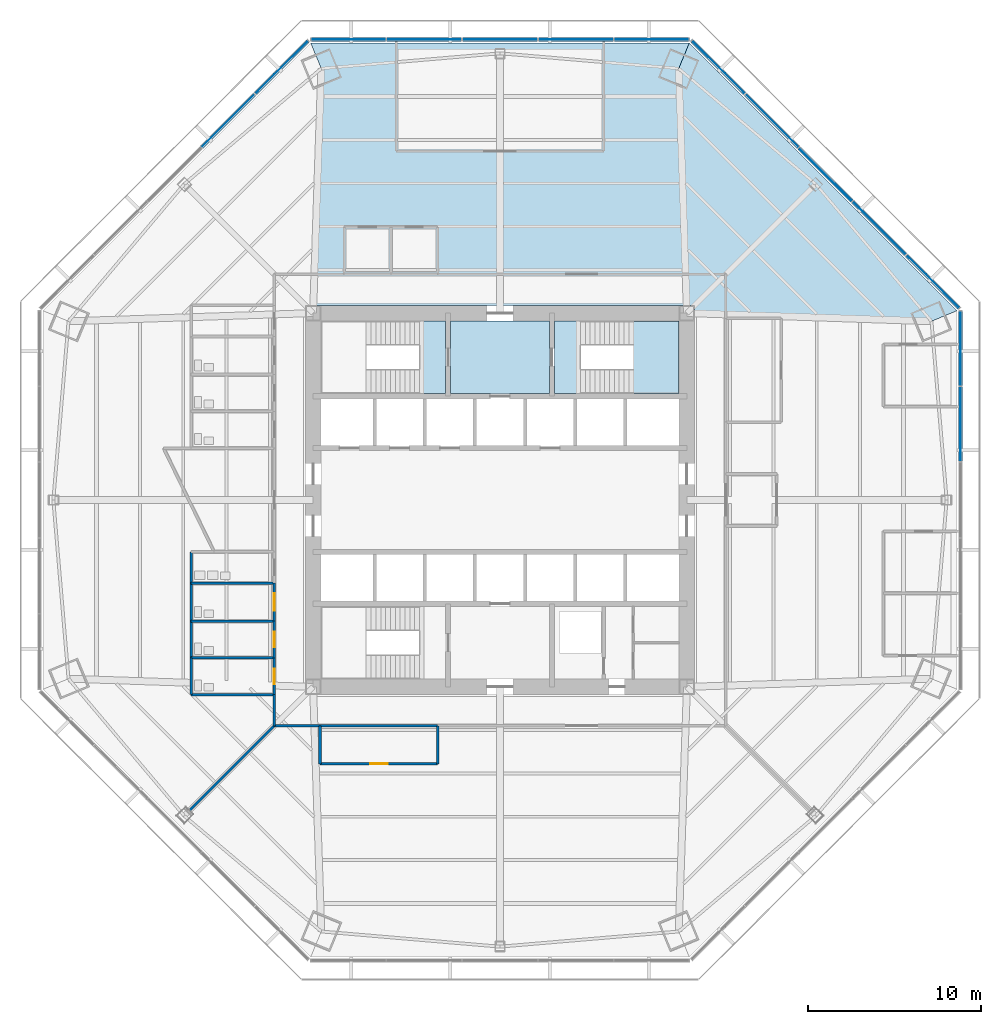
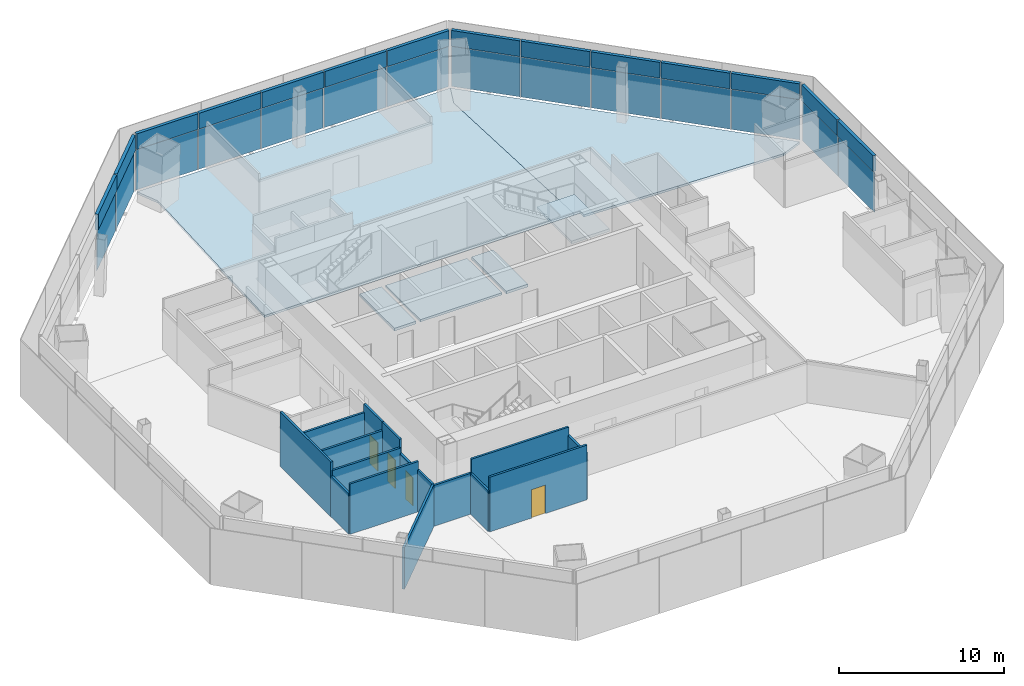
# One storey, part 7 of 13: 28 plates, 16 walls, 6 slabs, 4 doors, 4 openings, 6 elements without a shape of their own.
"""IFC4 building model written with IfcOpenShell, lengths in metres."""

from ifc_helpers import new_model, si_unit, direction, frame, frame_2d, origin, origin_2d, place, context, subcontext, project, spatial, polyline, rectangle, outline, extrude, source, transform, mapped, material, layer, layer_set, type_object, type_shapes, element, fill, aggregate, save


model = new_model("IFC4")

# Units and contexts
model_context = context("Model", 3, precision=1e-05, world=origin(), true_north=direction((0.0, 1.0)))
body_context = subcontext(model_context, "Body", "Model", "MODEL_VIEW")
ifc_project = project(units=[si_unit("LENGTHUNIT", "METRE"), si_unit("AREAUNIT", "SQUARE_METRE"), si_unit("VOLUMEUNIT", "CUBIC_METRE"), si_unit("PLANEANGLEUNIT", "RADIAN"), si_unit("MASSUNIT", "GRAM", prefix="KILO")], contexts=[model_context])

# Site, building, storey
site_placement = place(None, origin())
site = spatial("IfcSite", under=ifc_project, at=site_placement, CompositionType="ELEMENT")
building_placement = place(site_placement, origin())
building = spatial("IfcBuilding", under=site, at=building_placement, Name="Mashrafa Tower", CompositionType="ELEMENT")
storey_placement = place(building_placement, frame((0.0, 0.0, 49.800048828125)))
storey = spatial("IfcBuildingStorey", under=building, at=storey_placement, Name="L10", CompositionType="ELEMENT", Elevation=49.800048828125)

# Slabs
ifc_material_1 = material(Name="Concrete C35/45", Category="concrete")
ifc_layer_1 = layer(ifc_material_1, 0.1650390625)
ifc_layer_set_1 = layer_set([ifc_layer_1], Name="Floor slab 165")
slab_type_1 = type_object("IfcSlabType", Name="Floor slab 165", PredefinedType="FLOOR", material=ifc_layer_set_1)
slab_1_placement = place(storey_placement, frame((0.0, 0.0, -0.1650390625)))
element("IfcSlab", 1, at=slab_1_placement, inside=storey, type_object=slab_type_1, Name="Floor slab L10 north-east bay", PredefinedType="FLOOR", context=body_context, shape_type="SweptSolid", body=[
    extrude(outline(polyline([(10.937744140625, 26.406005859375), (26.406005859375, 10.937744140625), (26.406005859375, 10.937744140625), (24.932373046875, 10.327392578125), (11.25, 10.784912109375), (11.25, 11.25), (10.784912109375, 11.25), (10.327392578125, 24.932373046875), (10.937744140625, 26.406005859375), (10.937744140625, 26.406005859375)])), origin(), (0.0, 0.0, 1.0), 0.1650390625),
])
slab_2_placement = place(storey_placement, frame((0.0, 0.0, -0.1650390625)))
element("IfcSlab", 2, at=slab_2_placement, inside=storey, type_object=slab_type_1, Name="Floor slab L10 north bay", PredefinedType="FLOOR", context=body_context, shape_type="SweptSolid", body=[
    extrude(outline(polyline([(10.937744140625, 26.406005859375), (10.327392578125, 24.932373046875), (10.784912109375, 11.25), (-10.784912109375, 11.25), (-10.327392578125, 24.932373046875), (-10.937744140625, 26.406005859375), (10.937744140625, 26.406005859375)])), origin(), (0.0, 0.0, 1.0), 0.1650390625),
])
slab_3_placement = place(storey_placement, frame((0.0, 0.0, -0.1650390625)))
element("IfcSlab", 3, at=slab_3_placement, inside=storey, type_object=slab_type_1, Name="Core floor fire-fighting lobby north L10", PredefinedType="FLOOR", context=body_context, shape_type="SweptSolid", body=[
    extrude(outline(polyline([(-2.85009765625, 10.35009765625), (2.85009765625, 10.35009765625), (2.85009765625, 6.14990234375), (-2.85009765625, 6.14990234375), (-2.85009765625, 10.35009765625)])), origin(), (0.0, 0.0, 1.0), 0.1650390625),
])

# Stair, slab
ifc_material_2 = material(Name="Exit stair 1400")
stair_type = type_object("IfcStairType", Name="Exit stair 1400", PredefinedType="HALF_TURN_STAIR", material=ifc_material_2)
stair_1_placement = place(storey_placement, origin())
stair_1 = element("IfcStair", 4, at=stair_1_placement, inside=storey, type_object=stair_type, Name="Stair S1 L10", PredefinedType="HALF_TURN_STAIR")
ifc_material_3 = material(Name="Concrete C32/40", Category="concrete")
ifc_layer_2 = layer(ifc_material_3, 0.199951171875)
ifc_layer_set_2 = layer_set([ifc_layer_2], Name="Stair landing 200")
slab_type_2 = type_object("IfcSlabType", Name="Stair landing 200", PredefinedType="LANDING", material=ifc_layer_set_2)
slab_4_placement = place(storey_placement, frame((0.0, 0.0, -0.199951171875)))
slab_4 = element("IfcSlab", 5, at=slab_4_placement, type_object=slab_type_2, Name="S1 landing 1", PredefinedType="LANDING", context=body_context, shape_type="SweptSolid", body=[
    extrude(outline(polyline([(-4.659912109375, 6.14990234375), (-3.14990234375, 6.14990234375), (-3.14990234375, 10.35009765625), (-4.659912109375, 10.35009765625), (-4.659912109375, 6.14990234375)])), origin(), (0.0, 0.0, 1.0), 0.199951171875),
])
aggregate(stair_1, [slab_4])

# Stair, slabs
stair_2_placement = place(storey_placement, origin())
stair_2 = element("IfcStair", 6, at=stair_2_placement, inside=storey, type_object=stair_type, Name="Stair S2 L10", PredefinedType="HALF_TURN_STAIR")
slab_5_placement = place(storey_placement, frame((0.0, 0.0, -0.199951171875)))
slab_5 = element("IfcSlab", 7, at=slab_5_placement, type_object=slab_type_2, Name="S2 landing 1", PredefinedType="LANDING", context=body_context, shape_type="SweptSolid", body=[
    extrude(outline(polyline([(3.14990234375, 6.14990234375), (4.659912109375, 6.14990234375), (4.659912109375, 10.35009765625), (3.14990234375, 10.35009765625), (3.14990234375, 6.14990234375)])), origin(), (0.0, 0.0, 1.0), 0.199951171875),
])
slab_6_placement = place(storey_placement, frame((0.0, 0.0, 1.89990234375)))
slab_6 = element("IfcSlab", 8, at=slab_6_placement, type_object=slab_type_2, Name="S2 landing 2", PredefinedType="LANDING", context=body_context, shape_type="SweptSolid", body=[
    extrude(outline(polyline([(7.719970703125, 6.14990234375), (10.35009765625, 6.14990234375), (10.35009765625, 10.35009765625), (7.719970703125, 10.35009765625), (7.719970703125, 6.14990234375)])), origin(), (0.0, 0.0, 1.0), 0.199951171875),
])
aggregate(stair_2, [slab_5, slab_6])

# Curtain wall, plate
ifc_material_4 = material(Name="Unitised aluminium curtain wall", Category="aluminium")
curtain_wall_type = type_object("IfcCurtainWallType", Name="Office curtain wall, zone 1 CW-A 200 deep", PredefinedType="NOTDEFINED", material=ifc_material_4)
curtain_wall_1_placement = place(storey_placement, origin())
curtain_wall_1 = element("IfcCurtainWall", 9, at=curtain_wall_1_placement, inside=storey, type_object=curtain_wall_type, Name="Office curtain wall, zone 1 L10 east", PredefinedType="NOTDEFINED")
ifc_material_5 = material(Name="Insulated double glazing, low-e, neutral", Category="glass")
ifc_layer_3 = layer(ifc_material_5, 0.028076171875)
ifc_layer_set_3 = layer_set([ifc_layer_3], Name="Vision panel CW-A 28")
plate_type_1 = type_object("IfcPlateType", Name="Vision panel CW-A 28", PredefinedType="CURTAIN_PANEL", material=ifc_layer_set_3)
shared_shape_1 = source(origin(), body_context, "Body", "SweptSolid", [
    extrude(rectangle(XDim=4.2900390625, YDim=0.028076171875, at=origin_2d()), origin(), (0.0, 0.0, 1.0), 2.9599609375),
])
plate_1_placement = place(storey_placement, frame((26.60595703125, 8.759033203125, 0.0), z_axis=(0.0, 0.0, 1.0), x_axis=(0.0, 1.0, 0.0)))
plate_1 = element("IfcPlate", 10, at=plate_1_placement, type_object=plate_type_1, Name="CW-A vision panel 5", PredefinedType="CURTAIN_PANEL", context=body_context, shape_type="MappedRepresentation", body=[
    mapped(shared_shape_1, transform((0.0, 0.0, 0.0))),
])

# Curtain wall, plates
curtain_wall_2_placement = place(storey_placement, origin())
curtain_wall_2 = element("IfcCurtainWall", 11, at=curtain_wall_2_placement, inside=storey, type_object=curtain_wall_type, Name="Office curtain wall, zone 1 L10 north-east", PredefinedType="NOTDEFINED")
plate_2_placement = place(storey_placement, frame((25.0068359375, 12.61962890625, 0.0), z_axis=(0.0, 0.0, 1.0), x_axis=(-0.707106781187, 0.707106781187, 0.0)))
plate_2 = element("IfcPlate", 12, at=plate_2_placement, type_object=plate_type_1, Name="CW-A vision panel 1", PredefinedType="CURTAIN_PANEL", context=body_context, shape_type="MappedRepresentation", body=[
    mapped(shared_shape_1, transform((0.0, 0.0, 0.0))),
])
plate_3_placement = place(storey_placement, frame((12.61962890625, 25.0068359375, 0.0), z_axis=(0.0, 0.0, 1.0), x_axis=(-0.707106781187, 0.707106781187, 0.0)))
plate_3 = element("IfcPlate", 13, at=plate_3_placement, type_object=plate_type_1, Name="CW-A vision panel 5", PredefinedType="CURTAIN_PANEL", context=body_context, shape_type="MappedRepresentation", body=[
    mapped(shared_shape_1, transform((0.0, 0.0, 0.0))),
])

curtain_wall_3_placement = place(storey_placement, origin())
curtain_wall_3 = element("IfcCurtainWall", 14, at=curtain_wall_3_placement, inside=storey, type_object=curtain_wall_type, Name="Office curtain wall, zone 1 L10 north", PredefinedType="NOTDEFINED")
plate_4_placement = place(storey_placement, frame((8.759033203125, 26.60595703125, 0.0), z_axis=(0.0, 0.0, 1.0), x_axis=(-1.0, 0.0, 0.0)))
plate_4 = element("IfcPlate", 15, at=plate_4_placement, type_object=plate_type_1, Name="CW-A vision panel 1", PredefinedType="CURTAIN_PANEL", context=body_context, shape_type="MappedRepresentation", body=[
    mapped(shared_shape_1, transform((0.0, 0.0, 0.0))),
])
plate_5_placement = place(storey_placement, frame((-8.759033203125, 26.60595703125, 0.0), z_axis=(0.0, 0.0, 1.0), x_axis=(-1.0, 0.0, 0.0)))
plate_5 = element("IfcPlate", 16, at=plate_5_placement, type_object=plate_type_1, Name="CW-A vision panel 5", PredefinedType="CURTAIN_PANEL", context=body_context, shape_type="MappedRepresentation", body=[
    mapped(shared_shape_1, transform((0.0, 0.0, 0.0))),
])

# Curtain wall, plate
curtain_wall_4_placement = place(storey_placement, origin())
curtain_wall_4 = element("IfcCurtainWall", 17, at=curtain_wall_4_placement, inside=storey, type_object=curtain_wall_type, Name="Office curtain wall, zone 1 L10 north-west", PredefinedType="NOTDEFINED")
plate_6_placement = place(storey_placement, frame((-12.61962890625, 25.0068359375, 0.0), z_axis=(0.0, 0.0, 1.0), x_axis=(-0.707106781187, -0.707106781187, 0.0)))
plate_6 = element("IfcPlate", 18, at=plate_6_placement, type_object=plate_type_1, Name="CW-A vision panel 1", PredefinedType="CURTAIN_PANEL", context=body_context, shape_type="MappedRepresentation", body=[
    mapped(shared_shape_1, transform((0.0, 0.0, 0.0))),
])

# Plate
ifc_material_6 = material(Name="Insulated aluminium spandrel panel", Category="aluminium")
ifc_layer_4 = layer(ifc_material_6, 0.219970703125)
ifc_layer_set_4 = layer_set([ifc_layer_4], Name="Spandrel panel CW-A 220")
plate_type_2 = type_object("IfcPlateType", Name="Spandrel panel CW-A 220", PredefinedType="CURTAIN_PANEL", material=ifc_layer_set_4)
shared_shape_2 = source(origin(), body_context, "Body", "SweptSolid", [
    extrude(rectangle(XDim=4.2900390625, YDim=0.219970703125, at=origin_2d()), origin(), (0.0, 0.0, 1.0), 1.159912109375),
])
plate_7_placement = place(storey_placement, frame((26.60595703125, 8.759033203125, 3.0400390625), z_axis=(0.0, 0.0, 1.0), x_axis=(0.0, 1.0, 0.0)))
plate_7 = element("IfcPlate", 19, at=plate_7_placement, type_object=plate_type_2, Name="CW-A spandrel panel 5", PredefinedType="CURTAIN_PANEL", context=body_context, shape_type="MappedRepresentation", body=[
    mapped(shared_shape_2, transform((0.0, 0.0, 0.0))),
])

plate_8_placement = place(storey_placement, frame((25.0068359375, 12.61962890625, 3.0400390625), z_axis=(0.0, 0.0, 1.0), x_axis=(-0.707106781187, 0.707106781187, 0.0)))
plate_8 = element("IfcPlate", 20, at=plate_8_placement, type_object=plate_type_2, Name="CW-A spandrel panel 1", PredefinedType="CURTAIN_PANEL", context=body_context, shape_type="MappedRepresentation", body=[
    mapped(shared_shape_2, transform((0.0, 0.0, 0.0))),
])

plate_9_placement = place(storey_placement, frame((12.61962890625, 25.0068359375, 3.0400390625), z_axis=(0.0, 0.0, 1.0), x_axis=(-0.707106781187, 0.707106781187, 0.0)))
plate_9 = element("IfcPlate", 21, at=plate_9_placement, type_object=plate_type_2, Name="CW-A spandrel panel 5", PredefinedType="CURTAIN_PANEL", context=body_context, shape_type="MappedRepresentation", body=[
    mapped(shared_shape_2, transform((0.0, 0.0, 0.0))),
])

plate_10_placement = place(storey_placement, frame((8.759033203125, 26.60595703125, 3.0400390625), z_axis=(0.0, 0.0, 1.0), x_axis=(-1.0, 0.0, 0.0)))
plate_10 = element("IfcPlate", 22, at=plate_10_placement, type_object=plate_type_2, Name="CW-A spandrel panel 1", PredefinedType="CURTAIN_PANEL", context=body_context, shape_type="MappedRepresentation", body=[
    mapped(shared_shape_2, transform((0.0, 0.0, 0.0))),
])

plate_11_placement = place(storey_placement, frame((-8.759033203125, 26.60595703125, 3.0400390625), z_axis=(0.0, 0.0, 1.0), x_axis=(-1.0, 0.0, 0.0)))
plate_11 = element("IfcPlate", 23, at=plate_11_placement, type_object=plate_type_2, Name="CW-A spandrel panel 5", PredefinedType="CURTAIN_PANEL", context=body_context, shape_type="MappedRepresentation", body=[
    mapped(shared_shape_2, transform((0.0, 0.0, 0.0))),
])

plate_12_placement = place(storey_placement, frame((-12.61962890625, 25.0068359375, 3.0400390625), z_axis=(0.0, 0.0, 1.0), x_axis=(-0.707106781187, -0.707106781187, 0.0)))
plate_12 = element("IfcPlate", 24, at=plate_12_placement, type_object=plate_type_2, Name="CW-A spandrel panel 1", PredefinedType="CURTAIN_PANEL", context=body_context, shape_type="MappedRepresentation", body=[
    mapped(shared_shape_2, transform((0.0, 0.0, 0.0))),
])

shared_shape_3 = source(origin(), body_context, "Body", "SweptSolid", [
    extrude(rectangle(XDim=4.32275390625, YDim=0.028076171875, at=origin_2d()), origin(), (0.0, 0.0, 1.0), 2.9599609375),
])
type_shapes(plate_type_1, [shared_shape_1, shared_shape_3])
plate_13_placement = place(storey_placement, frame((26.60595703125, 4.3876953125, 0.0), z_axis=(0.0, 0.0, 1.0), x_axis=(0.0, 1.0, 0.0)))
plate_13 = element("IfcPlate", 25, at=plate_13_placement, type_object=plate_type_1, Name="CW-A vision panel 4", PredefinedType="CURTAIN_PANEL", context=body_context, shape_type="MappedRepresentation", body=[
    mapped(shared_shape_3, transform((0.0, 0.0, 0.0))),
])

plate_14_placement = place(storey_placement, frame((21.915771484375, 15.710693359375, 0.0), z_axis=(0.0, 0.0, 1.0), x_axis=(-0.707106781187, 0.707106781187, 0.0)))
plate_14 = element("IfcPlate", 26, at=plate_14_placement, type_object=plate_type_1, Name="CW-A vision panel 2", PredefinedType="CURTAIN_PANEL", context=body_context, shape_type="MappedRepresentation", body=[
    mapped(shared_shape_3, transform((0.0, 0.0, 0.0))),
])

plate_15_placement = place(storey_placement, frame((18.813232421875, 18.813232421875, 0.0), z_axis=(0.0, 0.0, 1.0), x_axis=(-0.707106781187, 0.707106781187, 0.0)))
plate_15 = element("IfcPlate", 27, at=plate_15_placement, type_object=plate_type_1, Name="CW-A vision panel 3", PredefinedType="CURTAIN_PANEL", context=body_context, shape_type="MappedRepresentation", body=[
    mapped(shared_shape_3, transform((0.0, 0.0, 0.0))),
])

plate_16_placement = place(storey_placement, frame((15.710693359375, 21.915771484375, 0.0), z_axis=(0.0, 0.0, 1.0), x_axis=(-0.707106781187, 0.707106781187, 0.0)))
plate_16 = element("IfcPlate", 28, at=plate_16_placement, type_object=plate_type_1, Name="CW-A vision panel 4", PredefinedType="CURTAIN_PANEL", context=body_context, shape_type="MappedRepresentation", body=[
    mapped(shared_shape_3, transform((0.0, 0.0, 0.0))),
])

plate_17_placement = place(storey_placement, frame((4.3876953125, 26.60595703125, 0.0), z_axis=(0.0, 0.0, 1.0), x_axis=(-1.0, 0.0, 0.0)))
plate_17 = element("IfcPlate", 29, at=plate_17_placement, type_object=plate_type_1, Name="CW-A vision panel 2", PredefinedType="CURTAIN_PANEL", context=body_context, shape_type="MappedRepresentation", body=[
    mapped(shared_shape_3, transform((0.0, 0.0, 0.0))),
])

plate_18_placement = place(storey_placement, frame((0.0, 26.60595703125, 0.0), z_axis=(0.0, 0.0, 1.0), x_axis=(-1.0, 0.0, 0.0)))
plate_18 = element("IfcPlate", 30, at=plate_18_placement, type_object=plate_type_1, Name="CW-A vision panel 3", PredefinedType="CURTAIN_PANEL", context=body_context, shape_type="MappedRepresentation", body=[
    mapped(shared_shape_3, transform((0.0, 0.0, 0.0))),
])

plate_19_placement = place(storey_placement, frame((-4.3876953125, 26.60595703125, 0.0), z_axis=(0.0, 0.0, 1.0), x_axis=(-1.0, 0.0, 0.0)))
plate_19 = element("IfcPlate", 31, at=plate_19_placement, type_object=plate_type_1, Name="CW-A vision panel 4", PredefinedType="CURTAIN_PANEL", context=body_context, shape_type="MappedRepresentation", body=[
    mapped(shared_shape_3, transform((0.0, 0.0, 0.0))),
])

plate_20_placement = place(storey_placement, frame((-15.710693359375, 21.915771484375, 0.0), z_axis=(0.0, 0.0, 1.0), x_axis=(-0.707106781187, -0.707106781187, 0.0)))
plate_20 = element("IfcPlate", 32, at=plate_20_placement, type_object=plate_type_1, Name="CW-A vision panel 2", PredefinedType="CURTAIN_PANEL", context=body_context, shape_type="MappedRepresentation", body=[
    mapped(shared_shape_3, transform((0.0, 0.0, 0.0))),
])

shared_shape_4 = source(origin(), body_context, "Body", "SweptSolid", [
    extrude(rectangle(XDim=4.32275390625, YDim=0.219970703125, at=origin_2d()), origin(), (0.0, 0.0, 1.0), 1.159912109375),
])
type_shapes(plate_type_2, [shared_shape_2, shared_shape_4])
plate_21_placement = place(storey_placement, frame((26.60595703125, 4.3876953125, 3.0400390625), z_axis=(0.0, 0.0, 1.0), x_axis=(0.0, 1.0, 0.0)))
plate_21 = element("IfcPlate", 33, at=plate_21_placement, type_object=plate_type_2, Name="CW-A spandrel panel 4", PredefinedType="CURTAIN_PANEL", context=body_context, shape_type="MappedRepresentation", body=[
    mapped(shared_shape_4, transform((0.0, 0.0, 0.0))),
])

aggregate(curtain_wall_1, [plate_13, plate_21, plate_1, plate_7])

plate_22_placement = place(storey_placement, frame((21.915771484375, 15.710693359375, 3.0400390625), z_axis=(0.0, 0.0, 1.0), x_axis=(-0.707106781187, 0.707106781187, 0.0)))
plate_22 = element("IfcPlate", 34, at=plate_22_placement, type_object=plate_type_2, Name="CW-A spandrel panel 2", PredefinedType="CURTAIN_PANEL", context=body_context, shape_type="MappedRepresentation", body=[
    mapped(shared_shape_4, transform((0.0, 0.0, 0.0))),
])

plate_23_placement = place(storey_placement, frame((18.813232421875, 18.813232421875, 3.0400390625), z_axis=(0.0, 0.0, 1.0), x_axis=(-0.707106781187, 0.707106781187, 0.0)))
plate_23 = element("IfcPlate", 35, at=plate_23_placement, type_object=plate_type_2, Name="CW-A spandrel panel 3", PredefinedType="CURTAIN_PANEL", context=body_context, shape_type="MappedRepresentation", body=[
    mapped(shared_shape_4, transform((0.0, 0.0, 0.0))),
])

plate_24_placement = place(storey_placement, frame((15.710693359375, 21.915771484375, 3.0400390625), z_axis=(0.0, 0.0, 1.0), x_axis=(-0.707106781187, 0.707106781187, 0.0)))
plate_24 = element("IfcPlate", 36, at=plate_24_placement, type_object=plate_type_2, Name="CW-A spandrel panel 4", PredefinedType="CURTAIN_PANEL", context=body_context, shape_type="MappedRepresentation", body=[
    mapped(shared_shape_4, transform((0.0, 0.0, 0.0))),
])

aggregate(curtain_wall_2, [plate_2, plate_8, plate_14, plate_22, plate_15, plate_23, plate_16, plate_24, plate_3, plate_9])

plate_25_placement = place(storey_placement, frame((4.3876953125, 26.60595703125, 3.0400390625), z_axis=(0.0, 0.0, 1.0), x_axis=(-1.0, 0.0, 0.0)))
plate_25 = element("IfcPlate", 37, at=plate_25_placement, type_object=plate_type_2, Name="CW-A spandrel panel 2", PredefinedType="CURTAIN_PANEL", context=body_context, shape_type="MappedRepresentation", body=[
    mapped(shared_shape_4, transform((0.0, 0.0, 0.0))),
])

plate_26_placement = place(storey_placement, frame((0.0, 26.60595703125, 3.0400390625), z_axis=(0.0, 0.0, 1.0), x_axis=(-1.0, 0.0, 0.0)))
plate_26 = element("IfcPlate", 38, at=plate_26_placement, type_object=plate_type_2, Name="CW-A spandrel panel 3", PredefinedType="CURTAIN_PANEL", context=body_context, shape_type="MappedRepresentation", body=[
    mapped(shared_shape_4, transform((0.0, 0.0, 0.0))),
])

plate_27_placement = place(storey_placement, frame((-4.3876953125, 26.60595703125, 3.0400390625), z_axis=(0.0, 0.0, 1.0), x_axis=(-1.0, 0.0, 0.0)))
plate_27 = element("IfcPlate", 39, at=plate_27_placement, type_object=plate_type_2, Name="CW-A spandrel panel 4", PredefinedType="CURTAIN_PANEL", context=body_context, shape_type="MappedRepresentation", body=[
    mapped(shared_shape_4, transform((0.0, 0.0, 0.0))),
])

aggregate(curtain_wall_3, [plate_4, plate_10, plate_17, plate_25, plate_18, plate_26, plate_19, plate_27, plate_5, plate_11])

plate_28_placement = place(storey_placement, frame((-15.710693359375, 21.915771484375, 3.0400390625), z_axis=(0.0, 0.0, 1.0), x_axis=(-0.707106781187, -0.707106781187, 0.0)))
plate_28 = element("IfcPlate", 40, at=plate_28_placement, type_object=plate_type_2, Name="CW-A spandrel panel 2", PredefinedType="CURTAIN_PANEL", context=body_context, shape_type="MappedRepresentation", body=[
    mapped(shared_shape_4, transform((0.0, 0.0, 0.0))),
])

aggregate(curtain_wall_4, [plate_6, plate_12, plate_20, plate_28])

# Wall, opening, door
ifc_material_7 = material(Name="Gypsum board on steel studs", Category="steel")
ifc_layer_5 = layer(ifc_material_7, 0.14990234375)
ifc_layer_set_5 = layer_set([ifc_layer_5], Name="Corridor partition 150 1 hr")
wall_type_1 = type_object("IfcWallType", Name="Corridor partition 150 1 hr", PredefinedType="PARTITIONING", material=ifc_layer_set_5)
wall_1_placement = place(storey_placement, frame((-13.050048828125, -9.1240234375, 0.0), z_axis=(0.0, 0.0, 1.0), x_axis=(0.0, -1.0, 0.0)))
wall_1 = element("IfcWall", 41, at=wall_1_placement, inside=storey, type_object=wall_type_1, Name="Corridor wall L10-005", PredefinedType="PARTITIONING", context=body_context, shape_type="SweptSolid", body=[
    extrude(rectangle(XDim=2.126953125, YDim=0.14990234375, at=frame_2d((1.0634765625, 0.0))), origin(), (0.0, 0.0, 1.0), 3.01416015625),
])
opening_1_placement = place(wall_1_placement, frame((0.613525390625, 0.0, 0.0)))
opening_1 = element("IfcOpeningElement", 42, at=opening_1_placement, cuts=wall_1, Name="Opening 10.005", PredefinedType="OPENING", context=body_context, shape_type="SweptSolid", body=[
    extrude(rectangle(XDim=0.89990234375, YDim=2.10009765625, at=frame_2d((0.449951171875, 1.050048828125))), frame((0.0, 0.0849609375, 0.0), z_axis=(0.0, -1.0, 0.0), x_axis=(1.0, 0.0, 0.0)), (0.0, 0.0, 1.0), 0.169921875),
])
ifc_material_8 = material(Name="Timber door", Category="wood")
door_type_1 = type_object("IfcDoorType", Name="Toilet door 900 x 2100", OperationType="USERDEFINED", PredefinedType="DOOR", material=ifc_material_8)
door_1_placement = place(opening_1_placement, frame((0.89990234375, 0.0, 0.0), z_axis=(0.0, 0.0, 1.0), x_axis=(-1.0, 0.0, 0.0)))
door_1 = element("IfcDoor", 43, at=door_1_placement, inside=storey, type_object=door_type_1, Name="WC Female L10 S door", OperationType="SINGLE_SWING_RIGHT", OverallHeight=2.10009765625, OverallWidth=0.89990234375, PredefinedType="DOOR", context=body_context, shape_type="SweptSolid", body=[
    extrude(rectangle(XDim=0.89990234375, YDim=2.10009765625, at=frame_2d((0.449951171875, 1.050048828125))), frame((0.0, 0.02490234375, 0.0), z_axis=(0.0, -1.0, 0.0), x_axis=(1.0, 0.0, 0.0)), (0.0, 0.0, 1.0), 0.050048828125),
])
fill(opening_1, door_1)

wall_2_placement = place(storey_placement, frame((-13.050048828125, -6.9990234375, 0.0), z_axis=(0.0, 0.0, 1.0), x_axis=(0.0, -1.0, 0.0)))
wall_2 = element("IfcWall", 44, at=wall_2_placement, inside=storey, type_object=wall_type_1, Name="Corridor wall L10-006", PredefinedType="PARTITIONING", context=body_context, shape_type="SweptSolid", body=[
    extrude(rectangle(XDim=2.126953125, YDim=0.14990234375, at=frame_2d((1.0634765625, 0.0))), origin(), (0.0, 0.0, 1.0), 4.034912109375),
])
opening_2_placement = place(wall_2_placement, frame((0.613525390625, 0.0, 0.0)))
opening_2 = element("IfcOpeningElement", 45, at=opening_2_placement, cuts=wall_2, Name="Opening 10.006", PredefinedType="OPENING", context=body_context, shape_type="SweptSolid", body=[
    extrude(rectangle(XDim=0.89990234375, YDim=2.10009765625, at=frame_2d((0.449951171875, 1.050048828125))), frame((0.0, 0.0849609375, 0.0), z_axis=(0.0, -1.0, 0.0), x_axis=(1.0, 0.0, 0.0)), (0.0, 0.0, 1.0), 0.169921875),
])
door_2_placement = place(opening_2_placement, frame((0.89990234375, 0.0, 0.0), z_axis=(0.0, 0.0, 1.0), x_axis=(-1.0, 0.0, 0.0)))
door_2 = element("IfcDoor", 46, at=door_2_placement, inside=storey, type_object=door_type_1, Name="WC Male L10 S door", OperationType="SINGLE_SWING_RIGHT", OverallHeight=2.10009765625, OverallWidth=0.89990234375, PredefinedType="DOOR", context=body_context, shape_type="SweptSolid", body=[
    extrude(rectangle(XDim=0.89990234375, YDim=2.10009765625, at=frame_2d((0.449951171875, 1.050048828125))), frame((0.0, 0.02490234375, 0.0), z_axis=(0.0, -1.0, 0.0), x_axis=(1.0, 0.0, 0.0)), (0.0, 0.0, 1.0), 0.050048828125),
])
fill(opening_2, door_2)

wall_3_placement = place(storey_placement, frame((-13.050048828125, -4.799072265625, 0.0), z_axis=(0.0, 0.0, 1.0), x_axis=(0.0, -1.0, 0.0)))
wall_3 = element("IfcWall", 47, at=wall_3_placement, inside=storey, type_object=wall_type_1, Name="Corridor wall L10-007", PredefinedType="PARTITIONING", context=body_context, shape_type="SweptSolid", body=[
    extrude(rectangle(XDim=2.201904296875, YDim=0.14990234375, at=frame_2d((1.10107421875, 0.0))), origin(), (0.0, 0.0, 1.0), 4.034912109375),
])
opening_3_placement = place(wall_3_placement, frame((0.60107421875, 0.0, 0.0)))
opening_3 = element("IfcOpeningElement", 48, at=opening_3_placement, cuts=wall_3, Name="Opening 10.007", PredefinedType="OPENING", context=body_context, shape_type="SweptSolid", body=[
    extrude(rectangle(XDim=1.0, YDim=2.10009765625, at=frame_2d((0.5, 1.050048828125))), frame((0.0, 0.0849609375, 0.0), z_axis=(0.0, -1.0, 0.0), x_axis=(1.0, 0.0, 0.0)), (0.0, 0.0, 1.0), 0.169921875),
])
ifc_material_9 = material(Name="Timber door", Category="wood")
door_type_2 = type_object("IfcDoorType", Name="Accessible toilet door 1000 x 2100", OperationType="USERDEFINED", PredefinedType="DOOR", material=ifc_material_9)
door_3_placement = place(opening_3_placement, frame((1.0, 0.0, 0.0), z_axis=(0.0, 0.0, 1.0), x_axis=(-1.0, 0.0, 0.0)))
door_3 = element("IfcDoor", 49, at=door_3_placement, inside=storey, type_object=door_type_2, Name="Accessible WC L10 S door", OperationType="SINGLE_SWING_LEFT", OverallHeight=2.10009765625, OverallWidth=1.0, PredefinedType="DOOR", context=body_context, shape_type="SweptSolid", body=[
    extrude(rectangle(XDim=1.0, YDim=2.10009765625, at=frame_2d((0.5, 1.050048828125))), frame((0.0, 0.02490234375, 0.0), z_axis=(0.0, -1.0, 0.0), x_axis=(1.0, 0.0, 0.0)), (0.0, 0.0, 1.0), 0.050048828125),
])
fill(opening_3, door_3)

# Walls
wall_4_placement = place(storey_placement, frame((-10.40087890625, -13.050048828125, 0.0), z_axis=(0.0, 0.0, 1.0), x_axis=(1.0, 0.0, 0.0)))
element("IfcWall", 50, at=wall_4_placement, inside=storey, type_object=wall_type_1, Name="Corridor wall L10-010", PredefinedType="PARTITIONING", context=body_context, shape_type="SweptSolid", body=[
    extrude(rectangle(XDim=6.8017578125, YDim=0.14990234375, at=frame_2d((3.40087890625, 0.0))), origin(), (0.0, 0.0, 1.0), 4.034912109375),
])
wall_5_placement = place(storey_placement, frame((-13.050048828125, -11.2490234375, 0.0), z_axis=(0.0, 0.0, 1.0), x_axis=(0.0, -1.0, 0.0)))
element("IfcWall", 51, at=wall_5_placement, inside=storey, type_object=wall_type_1, Name="Corridor wall L10-015", PredefinedType="PARTITIONING", context=body_context, shape_type="SweptSolid", body=[
    extrude(rectangle(XDim=1.801025390625, YDim=0.14990234375, at=frame_2d((0.900390625, 0.0))), origin(), (0.0, 0.0, 1.0), 3.097900390625),
])
wall_6_placement = place(storey_placement, frame((-13.050048828125, -13.050048828125, 0.0), z_axis=(0.0, 0.0, 1.0), x_axis=(1.0, 0.0, 0.0)))
element("IfcWall", 52, at=wall_6_placement, inside=storey, type_object=wall_type_1, Name="Corridor wall L10-022", PredefinedType="PARTITIONING", context=body_context, shape_type="SweptSolid", body=[
    extrude(rectangle(XDim=2.651123046875, YDim=0.14990234375, at=frame_2d((1.32568359375, 0.0))), origin(), (0.0, 0.0, 1.0), 3.01416015625),
])
ifc_material_10 = material(Name="Gypsum board on steel studs", Category="steel")
ifc_layer_6 = layer(ifc_material_10, 0.14990234375)
ifc_layer_set_6 = layer_set([ifc_layer_6], Name="Partition 150")
wall_type_2 = type_object("IfcWallType", Name="Partition 150", PredefinedType="PARTITIONING", material=ifc_layer_set_6)
wall_7_placement = place(storey_placement, frame((-13.050048828125, -9.125, 0.0), z_axis=(0.0, 0.0, 1.0), x_axis=(-1.0, 0.0, 0.0)))
element("IfcWall", 53, at=wall_7_placement, inside=storey, type_object=wall_type_2, Name="Partition wall L10-033", PredefinedType="PARTITIONING", context=body_context, shape_type="SweptSolid", body=[
    extrude(rectangle(XDim=4.800048828125, YDim=0.14990234375, at=frame_2d((2.39990234375, 0.0))), origin(), (0.0, 0.0, 1.0), 3.4228515625),
])
wall_8_placement = place(storey_placement, frame((-17.85009765625, -9.125, 0.0), z_axis=(0.0, 0.0, 1.0), x_axis=(0.0, -1.0, 0.0)))
element("IfcWall", 54, at=wall_8_placement, inside=storey, type_object=wall_type_2, Name="Partition wall L10-034", PredefinedType="PARTITIONING", context=body_context, shape_type="SweptSolid", body=[
    extrude(rectangle(XDim=2.125, YDim=0.14990234375, at=frame_2d((1.0625, 0.0))), origin(), (0.0, 0.0, 1.0), 3.01416015625),
])
wall_9_placement = place(storey_placement, frame((-17.85009765625, -11.25, 0.0), z_axis=(0.0, 0.0, 1.0), x_axis=(1.0, 0.0, 0.0)))
element("IfcWall", 55, at=wall_9_placement, inside=storey, type_object=wall_type_2, Name="Partition wall L10-035", PredefinedType="PARTITIONING", context=body_context, shape_type="SweptSolid", body=[
    extrude(rectangle(XDim=4.800048828125, YDim=0.14990234375, at=frame_2d((2.39990234375, 0.0))), origin(), (0.0, 0.0, 1.0), 3.715087890625),
])
wall_10_placement = place(storey_placement, frame((-13.050048828125, -7.0, 0.0), z_axis=(0.0, 0.0, 1.0), x_axis=(-1.0, 0.0, 0.0)))
element("IfcWall", 56, at=wall_10_placement, inside=storey, type_object=wall_type_2, Name="Partition wall L10-036", PredefinedType="PARTITIONING", context=body_context, shape_type="SweptSolid", body=[
    extrude(rectangle(XDim=4.800048828125, YDim=0.14990234375, at=frame_2d((2.39990234375, 0.0))), origin(), (0.0, 0.0, 1.0), 3.4228515625),
])
wall_11_placement = place(storey_placement, frame((-17.85009765625, -9.125, 0.0), z_axis=(0.0, 0.0, 1.0), x_axis=(0.0, 1.0, 0.0)))
element("IfcWall", 57, at=wall_11_placement, inside=storey, type_object=wall_type_2, Name="Partition wall L10-037", PredefinedType="PARTITIONING", context=body_context, shape_type="SweptSolid", body=[
    extrude(rectangle(XDim=6.125, YDim=0.14990234375, at=frame_2d((3.0625, 0.0))), origin(), (0.0, 0.0, 1.0), 4.034912109375),
])
wall_12_placement = place(storey_placement, frame((-13.050048828125, -4.800048828125, 0.0), z_axis=(0.0, 0.0, 1.0), x_axis=(-1.0, 0.0, 0.0)))
element("IfcWall", 58, at=wall_12_placement, inside=storey, type_object=wall_type_2, Name="Partition wall L10-038", PredefinedType="PARTITIONING", context=body_context, shape_type="SweptSolid", body=[
    extrude(rectangle(XDim=4.800048828125, YDim=0.14990234375, at=frame_2d((2.39990234375, 0.0))), origin(), (0.0, 0.0, 1.0), 3.4228515625),
])
wall_13_placement = place(storey_placement, frame((-10.39990234375, -13.050048828125, 0.0), z_axis=(0.0, 0.0, 1.0), x_axis=(0.0, -1.0, 0.0)))
element("IfcWall", 59, at=wall_13_placement, inside=storey, type_object=wall_type_2, Name="Partition wall L10-056", PredefinedType="PARTITIONING", context=body_context, shape_type="SweptSolid", body=[
    extrude(rectangle(XDim=2.199951171875, YDim=0.14990234375, at=frame_2d((1.10009765625, 0.0))), origin(), (0.0, 0.0, 1.0), 3.01416015625),
])

# Wall, opening, door
wall_14_placement = place(storey_placement, frame((-10.39990234375, -15.25, 0.0), z_axis=(0.0, 0.0, 1.0), x_axis=(1.0, 0.0, 0.0)))
wall_14 = element("IfcWall", 60, at=wall_14_placement, inside=storey, type_object=wall_type_2, Name="Partition wall L10-057", PredefinedType="PARTITIONING", context=body_context, shape_type="SweptSolid", body=[
    extrude(rectangle(XDim=6.7998046875, YDim=0.14990234375, at=frame_2d((3.39990234375, 0.0))), origin(), (0.0, 0.0, 1.0), 4.034912109375),
])
opening_4_placement = place(wall_14_placement, frame((2.89990234375, 0.0, 0.0)))
opening_4 = element("IfcOpeningElement", 61, at=opening_4_placement, cuts=wall_14, Name="Opening 10.014", PredefinedType="OPENING", context=body_context, shape_type="SweptSolid", body=[
    extrude(rectangle(XDim=1.0, YDim=2.10009765625, at=frame_2d((0.5, 1.050048828125))), frame((0.0, 0.0849609375, 0.0), z_axis=(0.0, -1.0, 0.0), x_axis=(1.0, 0.0, 0.0)), (0.0, 0.0, 1.0), 0.169921875),
])
ifc_material_11 = material(Name="Timber door", Category="wood")
door_type_3 = type_object("IfcDoorType", Name="Door 1000 x 2100", OperationType="USERDEFINED", PredefinedType="DOOR", material=ifc_material_11)
door_4_placement = place(opening_4_placement, origin())
door_4 = element("IfcDoor", 62, at=door_4_placement, inside=storey, type_object=door_type_3, Name="Communications Room 10 door", OperationType="SINGLE_SWING_LEFT", OverallHeight=2.10009765625, OverallWidth=1.0, PredefinedType="DOOR", context=body_context, shape_type="SweptSolid", body=[
    extrude(rectangle(XDim=1.0, YDim=2.10009765625, at=frame_2d((0.5, 1.050048828125))), frame((0.0, 0.02490234375, 0.0), z_axis=(0.0, -1.0, 0.0), x_axis=(1.0, 0.0, 0.0)), (0.0, 0.0, 1.0), 0.050048828125),
])
fill(opening_4, door_4)

# Walls
wall_15_placement = place(storey_placement, frame((-3.60009765625, -15.25, 0.0), z_axis=(0.0, 0.0, 1.0), x_axis=(0.0, 1.0, 0.0)))
element("IfcWall", 63, at=wall_15_placement, inside=storey, type_object=wall_type_2, Name="Partition wall L10-058", PredefinedType="PARTITIONING", context=body_context, shape_type="SweptSolid", body=[
    extrude(rectangle(XDim=2.199951171875, YDim=0.14990234375, at=frame_2d((1.10009765625, 0.0))), origin(), (0.0, 0.0, 1.0), 3.4228515625),
])
wall_16_placement = place(storey_placement, frame((-17.93798828125, -17.93798828125, 0.0), z_axis=(0.0, 0.0, 1.0), x_axis=(0.707106781187, 0.707106781187, 0.0)))
element("IfcWall", 64, at=wall_16_placement, inside=storey, type_object=wall_type_2, Name="Partition wall L10-070", PredefinedType="PARTITIONING", context=body_context, shape_type="SweptSolid", body=[
    extrude(rectangle(XDim=6.91259765625, YDim=0.14990234375, at=frame_2d((3.456298828125, 0.0))), origin(), (0.0, 0.0, 1.0), 3.097900390625),
])

save(model, "model.ifc")
